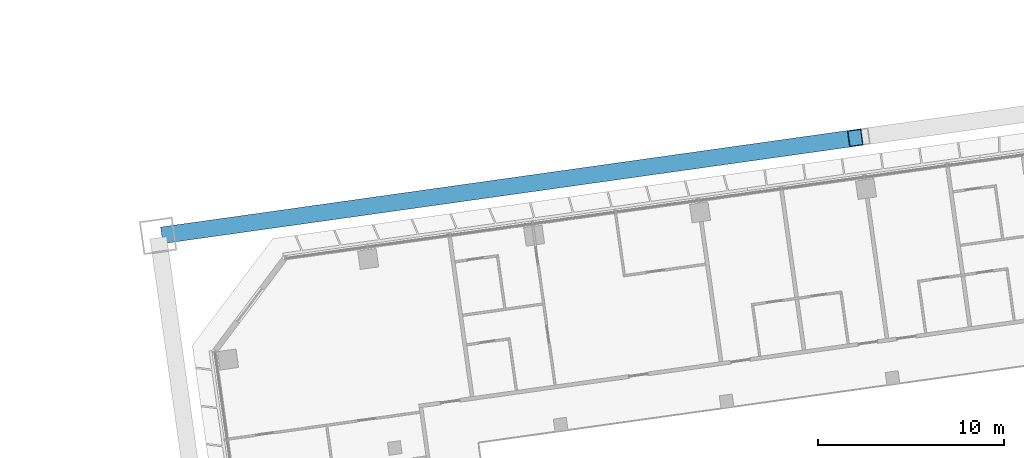
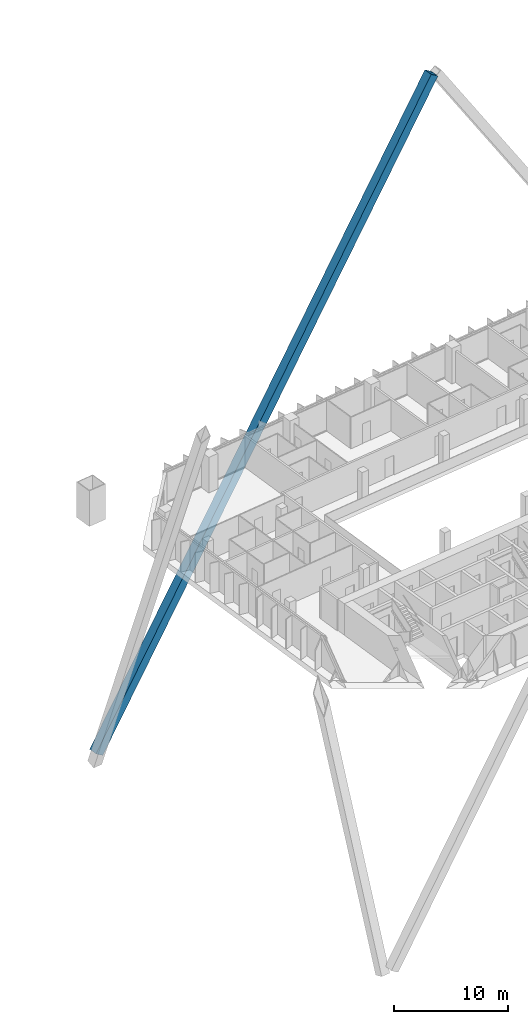
# One storey, part 26 of 49: 1 member.
"""IFC4 building model written with IfcOpenShell, lengths in metres."""

from ifc_helpers import new_model, si_unit, direction, frame, origin, origin_2d, place, context, subcontext, project, spatial, hollow_rectangle, extrude, material, material_profile, profile_set, type_object, element, save


model = new_model("IFC4")

# Units and contexts
model_context = context("Model", 3, precision=1e-05, world=origin(), true_north=direction((0.0, 1.0)))
body_context = subcontext(model_context, "Body", "Model", "MODEL_VIEW")
ifc_project = project(units=[si_unit("LENGTHUNIT", "METRE"), si_unit("AREAUNIT", "SQUARE_METRE"), si_unit("VOLUMEUNIT", "CUBIC_METRE"), si_unit("PLANEANGLEUNIT", "RADIAN"), si_unit("MASSUNIT", "GRAM", prefix="KILO")], contexts=[model_context])

# Site, building, storey
site_placement = place(None, origin())
site = spatial("IfcSite", under=ifc_project, at=site_placement, CompositionType="ELEMENT")
building_placement = place(site_placement, origin())
building = spatial("IfcBuilding", under=site, at=building_placement, Name="Mirante Cascada Hotel Towers", CompositionType="ELEMENT")
storey_placement = place(building_placement, frame((0.0, 0.0, 66.1)))
storey = spatial("IfcBuildingStorey", under=building, at=storey_placement, Name="L13", CompositionType="ELEMENT", Elevation=66.1)

# Member
ifc_material = material(Name="Steel ASTM A572 Gr 50", Category="steel")
ifc_material_profile = material_profile(ifc_material, hollow_rectangle(XDim=0.9, YDim=0.9, WallThickness=0.045, at=origin_2d()), Name="Box brace 900x900x45 ASTM A572 Gr 50")
ifc_profile_set = profile_set([ifc_material_profile], Name="Steel ASTM A572 Gr 50")
member_type = type_object("IfcMemberType", Name="Box brace 900x900x45 ASTM A572 Gr 50", PredefinedType="BRACE", material=ifc_profile_set)
member_placement = place(storey_placement, frame((25.6654, 18.5972, -25.2549), z_axis=(0.5445943, 0.0765374, 0.8352), x_axis=(-0.1391725, 0.9902681, 0.0)))
element("IfcMember", 1, at=member_placement, inside=storey, type_object=member_type, Name="brace T2 L13 1", PredefinedType="BRACE", context=body_context, shape_type="SweptSolid", body=[
    extrude(hollow_rectangle(XDim=0.9, YDim=0.9, WallThickness=0.045, at=origin_2d()), origin(), (0.0, 0.0, 1.0), 67.7172),
])

save(model, "model.ifc")
